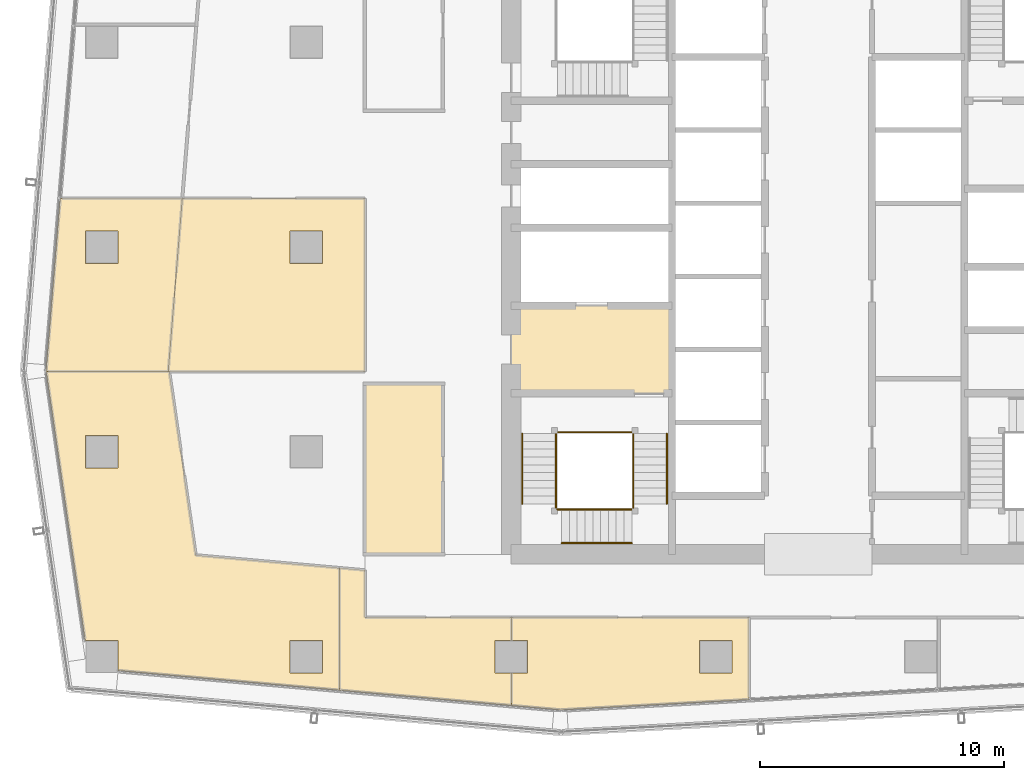
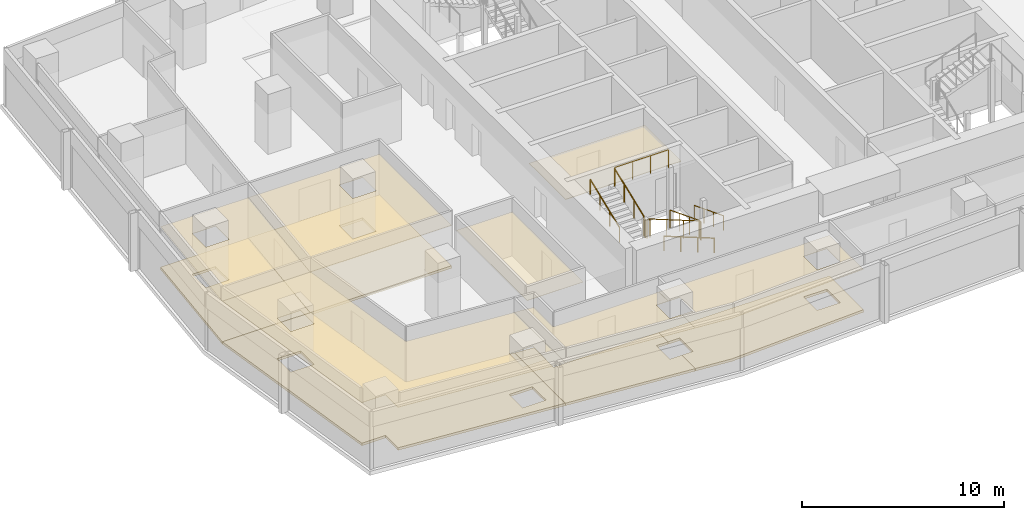
# One storey, part 26 of 30: 12 coverings, 10 railings.
"""IFC4 building model written with IfcOpenShell, lengths in metres."""

from ifc_helpers import new_model, si_unit, direction, frame, origin, origin_2d, place, context, subcontext, project, spatial, polyline, circle, outline, extrude, material, layer, layer_set, type_object, element, save


model = new_model("IFC4")

# Units and contexts
model_context = context("Model", 3, precision=1e-05, world=origin(), true_north=direction((0.0, 1.0)))
body_context = subcontext(model_context, "Body", "Model", "MODEL_VIEW")
ifc_project = project(units=[si_unit("LENGTHUNIT", "METRE"), si_unit("AREAUNIT", "SQUARE_METRE"), si_unit("VOLUMEUNIT", "CUBIC_METRE"), si_unit("PLANEANGLEUNIT", "RADIAN"), si_unit("MASSUNIT", "GRAM", prefix="KILO")], contexts=[model_context])

# Site, building, storey
site_placement = place(None, origin())
site = spatial("IfcSite", under=ifc_project, at=site_placement, CompositionType="ELEMENT")
building_placement = place(site_placement, origin())
building = spatial("IfcBuilding", under=site, at=building_placement, Name="Rekha Terrace Tower", CompositionType="ELEMENT")
storey_placement = place(building_placement, frame((0.0, 0.0, 265.10009765625)))
storey = spatial("IfcBuildingStorey", under=building, at=storey_placement, Name="L67", CompositionType="ELEMENT", Elevation=265.10009765625)

# Coverings
ifc_material_1 = material(Name="Mineral fibre tile in exposed grid", Category="finish")
ifc_layer_1 = layer(ifc_material_1, 0.02001953125)
ifc_layer_set_1 = layer_set([ifc_layer_1], Name="Mineral fibre tile in exposed grid")
covering_type_1 = type_object("IfcCoveringType", Name="CL1 600x1200 office grid ceiling", PredefinedType="CEILING", material=ifc_layer_set_1)
covering_1_placement = place(storey_placement, frame((0.0, 0.0, 2.579833984375)))
element("IfcCovering", 1, at=covering_1_placement, inside=storey, type_object=covering_type_1, Name="Ceiling L67-11", PredefinedType="CEILING", context=body_context, shape_type="SweptSolid", body=[
    extrude(outline(polyline([(6.12109375, 28.490966796875), (7.715087890625, 17.465087890625), (9.06494140625, 17.465087890625), (9.06494140625, 16.22705078125), (18.14892578125, 15.4189453125), (18.14892578125, 20.43896484375), (12.260986328125, 20.9619140625), (11.173095703125, 28.490966796875), (6.12109375, 28.490966796875)]), holes=[polyline([(17.465087890625, 17.465087890625), (17.465087890625, 16.135009765625), (16.135009765625, 16.135009765625), (16.135009765625, 17.465087890625), (17.465087890625, 17.465087890625)]), polyline([(9.06494140625, 25.864990234375), (9.06494140625, 24.534912109375), (7.735107421875, 24.534912109375), (7.735107421875, 25.864990234375), (9.06494140625, 25.864990234375)])]), origin(), (0.0, 0.0, 1.0), 0.02001953125),
])
covering_2_placement = place(storey_placement, frame((0.0, 0.0, 2.579833984375)))
element("IfcCovering", 2, at=covering_2_placement, inside=storey, type_object=covering_type_1, Name="Ceiling L67-12", PredefinedType="CEILING", context=body_context, shape_type="SweptSolid", body=[
    extrude(outline(polyline([(19.199951171875, 18.39990234375), (19.199951171875, 20.345947265625), (18.14990234375, 20.43896484375), (18.14990234375, 15.4189453125), (25.2060546875, 14.7919921875), (25.2060546875, 16.135009765625), (24.534912109375, 16.135009765625), (24.534912109375, 17.465087890625), (25.2060546875, 17.465087890625), (25.2060546875, 18.39990234375), (19.199951171875, 18.39990234375)])), origin(), (0.0, 0.0, 1.0), 0.02001953125),
])
covering_3_placement = place(storey_placement, frame((0.0, 0.0, 2.579833984375)))
element("IfcCovering", 3, at=covering_3_placement, inside=storey, type_object=covering_type_1, Name="Ceiling L67-13", PredefinedType="CEILING", context=body_context, shape_type="SweptSolid", body=[
    extrude(outline(polyline([(34.947021484375, 15.033935546875), (34.947021484375, 18.39990234375), (25.20703125, 18.39990234375), (25.20703125, 17.465087890625), (25.864990234375, 17.465087890625), (25.864990234375, 16.135009765625), (25.20703125, 16.135009765625), (25.20703125, 14.7919921875), (27.221923828125, 14.613037109375), (34.947021484375, 15.033935546875)]), holes=[polyline([(34.264892578125, 16.135009765625), (32.93505859375, 16.135009765625), (32.93505859375, 17.465087890625), (34.264892578125, 17.465087890625), (34.264892578125, 16.135009765625)])]), origin(), (0.0, 0.0, 1.0), 0.02001953125),
])
covering_4_placement = place(storey_placement, frame((0.0, 0.0, 2.579833984375)))
element("IfcCovering", 4, at=covering_4_placement, inside=storey, type_object=covering_type_1, Name="Ceiling L67-14", PredefinedType="CEILING", context=body_context, shape_type="SweptSolid", body=[
    extrude(outline(polyline([(11.1298828125, 28.490966796875), (11.70703125, 35.590087890625), (6.69091796875, 35.590087890625), (6.113037109375, 28.490966796875), (11.1298828125, 28.490966796875)]), holes=[polyline([(9.06494140625, 34.264892578125), (9.06494140625, 32.93505859375), (7.735107421875, 32.93505859375), (7.735107421875, 34.264892578125), (9.06494140625, 34.264892578125)])]), origin(), (0.0, 0.0, 1.0), 0.02001953125),
])
covering_5_placement = place(storey_placement, frame((0.0, 0.0, 2.579833984375)))
element("IfcCovering", 5, at=covering_5_placement, inside=storey, type_object=covering_type_1, Name="Ceiling L67-15", PredefinedType="CEILING", context=body_context, shape_type="SweptSolid", body=[
    extrude(outline(polyline([(19.199951171875, 28.490966796875), (19.199951171875, 35.590087890625), (11.70703125, 35.590087890625), (11.1298828125, 28.490966796875), (19.199951171875, 28.490966796875)]), holes=[polyline([(17.465087890625, 34.264892578125), (17.465087890625, 32.93505859375), (16.135009765625, 32.93505859375), (16.135009765625, 34.264892578125), (17.465087890625, 34.264892578125)])]), origin(), (0.0, 0.0, 1.0), 0.02001953125),
])
ifc_material_2 = material(Name="Fibre cement board", Category="finish")
ifc_layer_2 = layer(ifc_material_2, 0.014892578125)
ifc_layer_set_2 = layer_set([ifc_layer_2], Name="Fibre cement board")
covering_type_2 = type_object("IfcCoveringType", Name="CL2 moisture-resistant board ceiling", PredefinedType="CEILING", material=ifc_layer_set_2)
covering_6_placement = place(storey_placement, frame((0.0, 0.0, 2.5849609375)))
element("IfcCovering", 6, at=covering_6_placement, inside=storey, type_object=covering_type_2, Name="Ceiling L67-WCM", PredefinedType="CEILING", context=body_context, shape_type="SweptSolid", body=[
    extrude(outline(polyline([(22.39990234375, 28.0), (19.199951171875, 28.0), (19.199951171875, 21.0), (22.39990234375, 21.0), (22.39990234375, 28.0)])), origin(), (0.0, 0.0, 1.0), 0.014892578125),
])
ifc_material_3 = material(Name="Powder-coated aluminium pan", Category="aluminium")
ifc_layer_3 = layer(ifc_material_3, 0.030029296875)
ifc_layer_set_3 = layer_set([ifc_layer_3], Name="Powder-coated aluminium pan")
covering_type_3 = type_object("IfcCoveringType", Name="CL3 300x1200 metal pan ceiling", PredefinedType="CEILING", material=ifc_layer_set_3)
covering_7_placement = place(storey_placement, frame((0.0, 0.0, 2.56982421875)))
element("IfcCovering", 7, at=covering_7_placement, inside=storey, type_object=covering_type_3, Name="Ceiling L67-FLB1", PredefinedType="CEILING", context=body_context, shape_type="SweptSolid", body=[
    extrude(outline(polyline([(31.800048828125, 31.199951171875), (25.199951171875, 31.199951171875), (25.199951171875, 27.60009765625), (31.800048828125, 27.60009765625), (31.800048828125, 31.199951171875)])), origin(), (0.0, 0.0, 1.0), 0.030029296875),
])

# Railings
ifc_material_4 = material(Name="Stainless steel balustrade", Category="steel")
railing_type_1 = type_object("IfcRailingType", Name="GR1 1100 stair guard", PredefinedType="GUARDRAIL", material=ifc_material_4)
railing_1_placement = place(storey_placement, frame((30.2099609375, 25.949951171875, 0.125)))
element("IfcRailing", 8, at=railing_1_placement, inside=storey, type_object=railing_type_1, Name="Guard ST1 L67 flight 1", PredefinedType="GUARDRAIL", context=body_context, shape_type="SweptSolid", body=[
    extrude(circle(Radius=0.02392578125, at=origin_2d()), frame((0.0, 0.0, 1.076171875), z_axis=(0.0, -0.931452331594, 0.363863372667), x_axis=(1.0, 0.0, 0.0)), (0.0, 0.0, 1.0), 3.091796875),
    extrude(circle(Radius=0.02099609375, at=origin_2d()), origin(), (0.0, 0.0, 1.0), 1.052001953125),
    extrude(circle(Radius=0.02099609375, at=origin_2d()), frame((0.0, -0.9599609375, 0.375)), (0.0, 0.0, 1.0), 1.052001953125),
    extrude(circle(Radius=0.02099609375, at=origin_2d()), frame((0.0, -1.919921875, 0.75)), (0.0, 0.0, 1.0), 1.052001953125),
    extrude(circle(Radius=0.02099609375, at=origin_2d()), frame((0.0, -2.8798828125, 1.125)), (0.0, 0.0, 1.0), 1.052001953125),
])
railing_2_placement = place(storey_placement, frame((30.14990234375, 22.840087890625, 1.375)))
element("IfcRailing", 9, at=railing_2_placement, inside=storey, type_object=railing_type_1, Name="Guard ST1 L67 flight 2", PredefinedType="GUARDRAIL", context=body_context, shape_type="SweptSolid", body=[
    extrude(circle(Radius=0.02392578125, at=origin_2d()), frame((0.0, 0.0, 1.076171875), z_axis=(-0.931452331594, 0.0, 0.363863372667), x_axis=(0.0, -1.0, 0.0)), (0.0, 0.0, 1.0), 3.091796875),
    extrude(circle(Radius=0.02099609375, at=origin_2d()), origin(), (0.0, 0.0, 1.0), 1.052001953125),
    extrude(circle(Radius=0.02099609375, at=origin_2d()), frame((-0.9599609375, 0.0, 0.375)), (0.0, 0.0, 1.0), 1.052001953125),
    extrude(circle(Radius=0.02099609375, at=origin_2d()), frame((-1.919921875, 0.0, 0.75)), (0.0, 0.0, 1.0), 1.052001953125),
    extrude(circle(Radius=0.02099609375, at=origin_2d()), frame((-2.8798828125, 0.0, 1.125)), (0.0, 0.0, 1.0), 1.052001953125),
])
railing_3_placement = place(storey_placement, frame((27.0400390625, 23.070068359375, 2.625)))
element("IfcRailing", 10, at=railing_3_placement, inside=storey, type_object=railing_type_1, Name="Guard ST1 L67 flight 3", PredefinedType="GUARDRAIL", context=body_context, shape_type="SweptSolid", body=[
    extrude(circle(Radius=0.02392578125, at=origin_2d()), frame((0.0, 0.0, 1.076171875), z_axis=(0.0, 0.931452331594, 0.363863372667), x_axis=(-1.0, 0.0, 0.0)), (0.0, 0.0, 1.0), 3.091796875),
    extrude(circle(Radius=0.02099609375, at=origin_2d()), origin(), (0.0, 0.0, 1.0), 1.052001953125),
    extrude(circle(Radius=0.02099609375, at=origin_2d()), frame((0.0, 0.9599609375, 0.375)), (0.0, 0.0, 1.0), 1.052001953125),
    extrude(circle(Radius=0.02099609375, at=origin_2d()), frame((0.0, 1.919921875, 0.75)), (0.0, 0.0, 1.0), 1.052001953125),
    extrude(circle(Radius=0.02099609375, at=origin_2d()), frame((0.0, 2.8798828125, 1.125)), (0.0, 0.0, 1.0), 1.052001953125),
])
railing_4_placement = place(storey_placement, frame((30.2099609375, 23.070068359375, 1.25)))
element("IfcRailing", 11, at=railing_4_placement, inside=storey, type_object=railing_type_1, Name="Guard ST1 L67 landing 1", PredefinedType="GUARDRAIL", context=body_context, shape_type="SweptSolid", body=[
    extrude(circle(Radius=0.02392578125, at=origin_2d()), frame((0.0, 0.0, 1.076171875), z_axis=(0.0, -1.0, 0.0), x_axis=(1.0, 0.0, 0.0)), (0.0, 0.0, 1.0), 0.170166015625),
    extrude(circle(Radius=0.02099609375, at=origin_2d()), origin(), (0.0, 0.0, 1.0), 1.052001953125),
    extrude(circle(Radius=0.02099609375, at=origin_2d()), frame((0.0, -0.170166015625, 0.0)), (0.0, 0.0, 1.0), 1.052001953125),
])
railing_5_placement = place(storey_placement, frame((27.27001953125, 22.840087890625, 2.5)))
element("IfcRailing", 12, at=railing_5_placement, inside=storey, type_object=railing_type_1, Name="Guard ST1 L67 landing 2", PredefinedType="GUARDRAIL", context=body_context, shape_type="SweptSolid", body=[
    extrude(circle(Radius=0.02392578125, at=origin_2d()), frame((0.0, 0.0, 1.076171875), z_axis=(-1.0, 0.0, 0.0), x_axis=(0.0, -1.0, 0.0)), (0.0, 0.0, 1.0), 0.169921875),
    extrude(circle(Radius=0.02099609375, at=origin_2d()), origin(), (0.0, 0.0, 1.0), 1.052001953125),
    extrude(circle(Radius=0.02099609375, at=origin_2d()), frame((-0.169921875, 0.0, 0.0)), (0.0, 0.0, 1.0), 1.052001953125),
])
railing_6_placement = place(storey_placement, frame((27.0400390625, 23.070068359375, 2.5)))
element("IfcRailing", 13, at=railing_6_placement, inside=storey, type_object=railing_type_1, Name="Guard ST1 L67 landing 3", PredefinedType="GUARDRAIL", context=body_context, shape_type="SweptSolid", body=[
    extrude(circle(Radius=0.02392578125, at=origin_2d()), frame((0.0, 0.0, 1.076171875), z_axis=(0.0, -1.0, 0.0), x_axis=(1.0, 0.0, 0.0)), (0.0, 0.0, 1.0), 0.170166015625),
    extrude(circle(Radius=0.02099609375, at=origin_2d()), origin(), (0.0, 0.0, 1.0), 1.052001953125),
    extrude(circle(Radius=0.02099609375, at=origin_2d()), frame((0.0, -0.170166015625, 0.0)), (0.0, 0.0, 1.0), 1.052001953125),
])
railing_7_placement = place(storey_placement, frame((30.14990234375, 26.010009765625, 3.75)))
element("IfcRailing", 14, at=railing_7_placement, inside=storey, type_object=railing_type_1, Name="Guard ST1 L67 landing 4", PredefinedType="GUARDRAIL", context=body_context, shape_type="SweptSolid", body=[
    extrude(circle(Radius=0.02392578125, at=origin_2d()), frame((0.0, 0.0, 1.076171875), z_axis=(-1.0, 0.0, 0.0), x_axis=(0.0, -1.0, 0.0)), (0.0, 0.0, 1.0), 3.0498046875),
    extrude(circle(Radius=0.02099609375, at=origin_2d()), origin(), (0.0, 0.0, 1.0), 1.052001953125),
    extrude(circle(Radius=0.02099609375, at=origin_2d()), frame((-1.0166015625, 0.0, 0.0)), (0.0, 0.0, 1.0), 1.052001953125),
    extrude(circle(Radius=0.02099609375, at=origin_2d()), frame((-2.033203125, 0.0, 0.0)), (0.0, 0.0, 1.0), 1.052001953125),
    extrude(circle(Radius=0.02099609375, at=origin_2d()), frame((-3.0498046875, 0.0, 0.0)), (0.0, 0.0, 1.0), 1.052001953125),
])
ifc_material_5 = material(Name="Stainless steel tube", Category="steel")
railing_type_2 = type_object("IfcRailingType", Name="HR1 900 stair handrail", PredefinedType="HANDRAIL", material=ifc_material_5)
railing_8_placement = place(storey_placement, frame((31.590087890625, 25.949951171875, 0.125)))
element("IfcRailing", 15, at=railing_8_placement, inside=storey, type_object=railing_type_2, Name="Handrail ST1 L67 flight 1", PredefinedType="HANDRAIL", context=body_context, shape_type="SweptSolid", body=[
    extrude(circle(Radius=0.02392578125, at=origin_2d()), frame((0.0, 0.0, 0.8759765625), z_axis=(0.0, -0.931452331594, 0.363863372667), x_axis=(1.0, 0.0, 0.0)), (0.0, 0.0, 1.0), 3.091796875),
    extrude(circle(Radius=0.02099609375, at=origin_2d()), origin(), (0.0, 0.0, 1.0), 0.851806640625),
    extrude(circle(Radius=0.02099609375, at=origin_2d()), frame((0.0, -0.9599609375, 0.375)), (0.0, 0.0, 1.0), 0.851806640625),
    extrude(circle(Radius=0.02099609375, at=origin_2d()), frame((0.0, -1.919921875, 0.75)), (0.0, 0.0, 1.0), 0.851806640625),
    extrude(circle(Radius=0.02099609375, at=origin_2d()), frame((0.0, -2.8798828125, 1.125)), (0.0, 0.0, 1.0), 0.851806640625),
])
railing_9_placement = place(storey_placement, frame((30.14990234375, 21.4599609375, 1.375)))
element("IfcRailing", 16, at=railing_9_placement, inside=storey, type_object=railing_type_2, Name="Handrail ST1 L67 flight 2", PredefinedType="HANDRAIL", context=body_context, shape_type="SweptSolid", body=[
    extrude(circle(Radius=0.02392578125, at=origin_2d()), frame((0.0, 0.0, 0.8759765625), z_axis=(-0.931452331594, 0.0, 0.363863372667), x_axis=(0.0, -1.0, 0.0)), (0.0, 0.0, 1.0), 3.091796875),
    extrude(circle(Radius=0.02099609375, at=origin_2d()), origin(), (0.0, 0.0, 1.0), 0.851806640625),
    extrude(circle(Radius=0.02099609375, at=origin_2d()), frame((-0.9599609375, 0.0, 0.375)), (0.0, 0.0, 1.0), 0.851806640625),
    extrude(circle(Radius=0.02099609375, at=origin_2d()), frame((-1.919921875, 0.0, 0.75)), (0.0, 0.0, 1.0), 0.851806640625),
    extrude(circle(Radius=0.02099609375, at=origin_2d()), frame((-2.8798828125, 0.0, 1.125)), (0.0, 0.0, 1.0), 0.851806640625),
])
railing_10_placement = place(storey_placement, frame((25.659912109375, 23.070068359375, 2.625)))
element("IfcRailing", 17, at=railing_10_placement, inside=storey, type_object=railing_type_2, Name="Handrail ST1 L67 flight 3", PredefinedType="HANDRAIL", context=body_context, shape_type="SweptSolid", body=[
    extrude(circle(Radius=0.02392578125, at=origin_2d()), frame((0.0, 0.0, 0.8759765625), z_axis=(0.0, 0.931452331594, 0.363863372667), x_axis=(-1.0, 0.0, 0.0)), (0.0, 0.0, 1.0), 3.091796875),
    extrude(circle(Radius=0.02099609375, at=origin_2d()), origin(), (0.0, 0.0, 1.0), 0.851806640625),
    extrude(circle(Radius=0.02099609375, at=origin_2d()), frame((0.0, 0.9599609375, 0.375)), (0.0, 0.0, 1.0), 0.851806640625),
    extrude(circle(Radius=0.02099609375, at=origin_2d()), frame((0.0, 1.919921875, 0.75)), (0.0, 0.0, 1.0), 0.851806640625),
    extrude(circle(Radius=0.02099609375, at=origin_2d()), frame((0.0, 2.8798828125, 1.125)), (0.0, 0.0, 1.0), 0.851806640625),
])

# Coverings
ifc_material_6 = material(Name="Calcium sulphate panels on steel pedestals", Category="steel")
ifc_layer_4 = layer(ifc_material_6, 0.14990234375)
ifc_layer_set_4 = layer_set([ifc_layer_4], Name="Calcium sulphate panels on steel pedestals")
covering_type_4 = type_object("IfcCoveringType", Name="RF1 150 raised access floor", PredefinedType="FLOORING", material=ifc_layer_set_4)
covering_8_placement = place(storey_placement, origin())
element("IfcCovering", 18, at=covering_8_placement, inside=storey, type_object=covering_type_4, Name="Raised floor L67-11", PredefinedType="FLOORING", context=body_context, shape_type="SweptSolid", body=[
    extrude(outline(polyline([(6.12109375, 28.490966796875), (7.715087890625, 17.465087890625), (9.06494140625, 17.465087890625), (9.06494140625, 16.22705078125), (18.14892578125, 15.4189453125), (18.14892578125, 20.43896484375), (12.260986328125, 20.9619140625), (11.173095703125, 28.490966796875), (6.12109375, 28.490966796875)]), holes=[polyline([(17.465087890625, 17.465087890625), (17.465087890625, 16.135009765625), (16.135009765625, 16.135009765625), (16.135009765625, 17.465087890625), (17.465087890625, 17.465087890625)]), polyline([(9.06494140625, 25.864990234375), (9.06494140625, 24.534912109375), (7.735107421875, 24.534912109375), (7.735107421875, 25.864990234375), (9.06494140625, 25.864990234375)])]), origin(), (0.0, 0.0, 1.0), 0.14990234375),
])
covering_9_placement = place(storey_placement, origin())
element("IfcCovering", 19, at=covering_9_placement, inside=storey, type_object=covering_type_4, Name="Raised floor L67-12", PredefinedType="FLOORING", context=body_context, shape_type="SweptSolid", body=[
    extrude(outline(polyline([(19.199951171875, 18.39990234375), (19.199951171875, 20.345947265625), (18.14990234375, 20.43896484375), (18.14990234375, 15.4189453125), (25.2060546875, 14.7919921875), (25.2060546875, 16.135009765625), (24.534912109375, 16.135009765625), (24.534912109375, 17.465087890625), (25.2060546875, 17.465087890625), (25.2060546875, 18.39990234375), (19.199951171875, 18.39990234375)])), origin(), (0.0, 0.0, 1.0), 0.14990234375),
])
covering_10_placement = place(storey_placement, origin())
element("IfcCovering", 20, at=covering_10_placement, inside=storey, type_object=covering_type_4, Name="Raised floor L67-13", PredefinedType="FLOORING", context=body_context, shape_type="SweptSolid", body=[
    extrude(outline(polyline([(34.947021484375, 15.033935546875), (34.947021484375, 18.39990234375), (25.20703125, 18.39990234375), (25.20703125, 17.465087890625), (25.864990234375, 17.465087890625), (25.864990234375, 16.135009765625), (25.20703125, 16.135009765625), (25.20703125, 14.7919921875), (27.221923828125, 14.613037109375), (34.947021484375, 15.033935546875)]), holes=[polyline([(34.264892578125, 16.135009765625), (32.93505859375, 16.135009765625), (32.93505859375, 17.465087890625), (34.264892578125, 17.465087890625), (34.264892578125, 16.135009765625)])]), origin(), (0.0, 0.0, 1.0), 0.14990234375),
])
covering_11_placement = place(storey_placement, origin())
element("IfcCovering", 21, at=covering_11_placement, inside=storey, type_object=covering_type_4, Name="Raised floor L67-14", PredefinedType="FLOORING", context=body_context, shape_type="SweptSolid", body=[
    extrude(outline(polyline([(11.1298828125, 28.490966796875), (11.70703125, 35.590087890625), (6.69091796875, 35.590087890625), (6.113037109375, 28.490966796875), (11.1298828125, 28.490966796875)]), holes=[polyline([(9.06494140625, 34.264892578125), (9.06494140625, 32.93505859375), (7.735107421875, 32.93505859375), (7.735107421875, 34.264892578125), (9.06494140625, 34.264892578125)])]), origin(), (0.0, 0.0, 1.0), 0.14990234375),
])
covering_12_placement = place(storey_placement, origin())
element("IfcCovering", 22, at=covering_12_placement, inside=storey, type_object=covering_type_4, Name="Raised floor L67-15", PredefinedType="FLOORING", context=body_context, shape_type="SweptSolid", body=[
    extrude(outline(polyline([(19.199951171875, 28.490966796875), (19.199951171875, 35.590087890625), (11.70703125, 35.590087890625), (11.1298828125, 28.490966796875), (19.199951171875, 28.490966796875)]), holes=[polyline([(17.465087890625, 34.264892578125), (17.465087890625, 32.93505859375), (16.135009765625, 32.93505859375), (16.135009765625, 34.264892578125), (17.465087890625, 34.264892578125)])]), origin(), (0.0, 0.0, 1.0), 0.14990234375),
])

save(model, "model.ifc")
